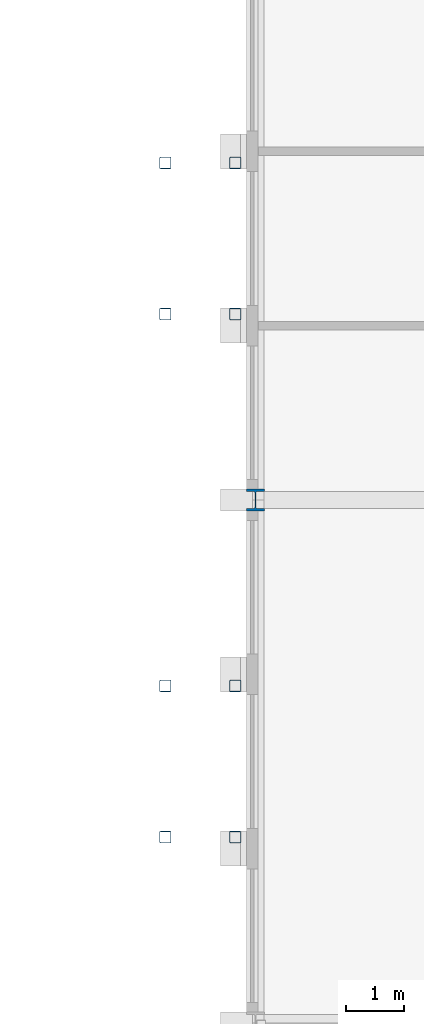
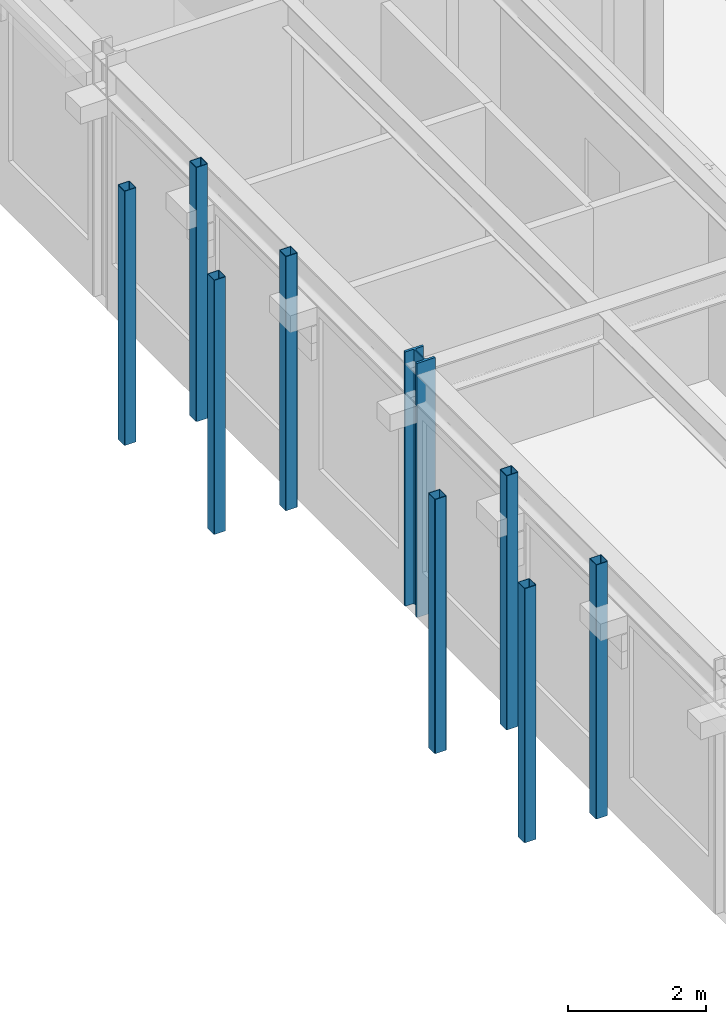
# One storey, part 3 of 153: 9 columns.
"""IFC4 building model written with IfcOpenShell, lengths in metres."""

from ifc_helpers import new_model, si_unit, direction, frame, origin, origin_2d, place, context, subcontext, project, spatial, hollow_rectangle, i_section, extrude, material, material_profile, profile_set, type_object, element, save


model = new_model("IFC4")

# Units and contexts
model_context = context("Model", 3, precision=1e-05, world=origin(), true_north=direction((0.0, 1.0)))
body_context = subcontext(model_context, "Body", "Model", "MODEL_VIEW")
ifc_project = project(units=[si_unit("LENGTHUNIT", "METRE"), si_unit("AREAUNIT", "SQUARE_METRE"), si_unit("VOLUMEUNIT", "CUBIC_METRE"), si_unit("PLANEANGLEUNIT", "RADIAN"), si_unit("MASSUNIT", "GRAM", prefix="KILO")], contexts=[model_context])

# Site, building, storey
site_placement = place(None, origin())
site = spatial("IfcSite", under=ifc_project, at=site_placement, CompositionType="ELEMENT")
building_placement = place(site_placement, origin())
building = spatial("IfcBuilding", under=site, at=building_placement, Name="Kallimachos Central Library", CompositionType="ELEMENT")
storey_placement = place(building_placement, frame((0.0, 0.0, 5.39990234375)))
storey = spatial("IfcBuildingStorey", under=building, at=storey_placement, Name="L01", CompositionType="ELEMENT", Elevation=5.39990234375)

# Columns
ifc_material_1 = material(Name="Steel S355J2", Category="steel")
ifc_material_profile_1 = material_profile(ifc_material_1, i_section(OverallWidth=0.30908203125, OverallDepth=0.376953125, WebThickness=0.02099609375, FlangeThickness=0.0400390625, FilletRadius=0.027099609375, at=origin_2d()), Name="HEM 340")
ifc_profile_set_1 = profile_set([ifc_material_profile_1], Name="Steel S355J2")
column_type_1 = type_object("IfcColumnType", Name="HEM 340 column", PredefinedType="COLUMN", material=ifc_profile_set_1)
column_placement = place(storey_placement, frame((65.5, 66.0, 0.0), z_axis=(0.0, 0.0, 1.0), x_axis=(1.0, 0.0, 0.0)))
element("IfcColumn", 1, at=column_placement, inside=storey, type_object=column_type_1, Name="V4-COL-L01-015", PredefinedType="COLUMN", context=body_context, shape_type="SweptSolid", body=[
    extrude(i_section(OverallWidth=0.30908203125, OverallDepth=0.376953125, WebThickness=0.02099609375, FlangeThickness=0.0400390625, FilletRadius=0.027099609375, at=origin_2d()), origin(), (0.0, 0.0, 1.0), 4.5),
])
ifc_material_2 = material(Name="Steel S355J2H", Category="steel")
ifc_material_profile_2 = material_profile(ifc_material_2, hollow_rectangle(XDim=0.199951171875, YDim=0.199951171875, WallThickness=0.010009765625, InnerFilletRadius=0.010009765625, OuterFilletRadius=0.014892578125, at=origin_2d()), Name="SHS 200x200x10")
ifc_profile_set_2 = profile_set([ifc_material_profile_2], Name="Steel S355J2H")
column_type_2 = type_object("IfcColumnType", Name="SHS 200x200x10 column", PredefinedType="COLUMN", material=ifc_profile_set_2)
for number, where, z_axis, x_axis, name in (
    (2, (65.14990234375, 60.199951171875, 0.0), (0.0, 0.0, 1.0), (1.0, 0.0, 0.0), "Tribune bay W1 column 1"),
    (3, (65.14990234375, 62.800048828125, 0.0), (0.0, 0.0, 1.0), (1.0, 0.0, 0.0), "Tribune bay W1 column 2"),
    (4, (63.949951171875, 60.199951171875, 0.0), (0.0, 0.0, 1.0), (1.0, 0.0, 0.0), "Tribune bay W1 column 3"),
    (5, (63.949951171875, 62.800048828125, 0.0), (0.0, 0.0, 1.0), (1.0, 0.0, 0.0), "Tribune bay W1 column 4"),
    (6, (65.14990234375, 69.199951171875, 0.0), (0.0, 0.0, 1.0), (1.0, 0.0, 0.0), "Tribune bay W2 column 1"),
    (7, (65.14990234375, 71.800048828125, 0.0), (0.0, 0.0, 1.0), (1.0, 0.0, 0.0), "Tribune bay W2 column 2"),
    (8, (63.949951171875, 69.199951171875, 0.0), (0.0, 0.0, 1.0), (1.0, 0.0, 0.0), "Tribune bay W2 column 3"),
    (9, (63.949951171875, 71.800048828125, 0.0), (0.0, 0.0, 1.0), (1.0, 0.0, 0.0), "Tribune bay W2 column 4"),
):
    element("IfcColumn", number, at=place(storey_placement, frame(where, z_axis=z_axis, x_axis=x_axis)), inside=storey, type_object=column_type_2, Name=name, PredefinedType="COLUMN", context=body_context, shape_type="SweptSolid", body=[
        extrude(hollow_rectangle(XDim=0.199951171875, YDim=0.199951171875, WallThickness=0.010009765625, InnerFilletRadius=0.010009765625, OuterFilletRadius=0.014892578125, at=origin_2d()), origin(), (0.0, 0.0, 1.0), 4.5),
    ])

save(model, "model.ifc")
